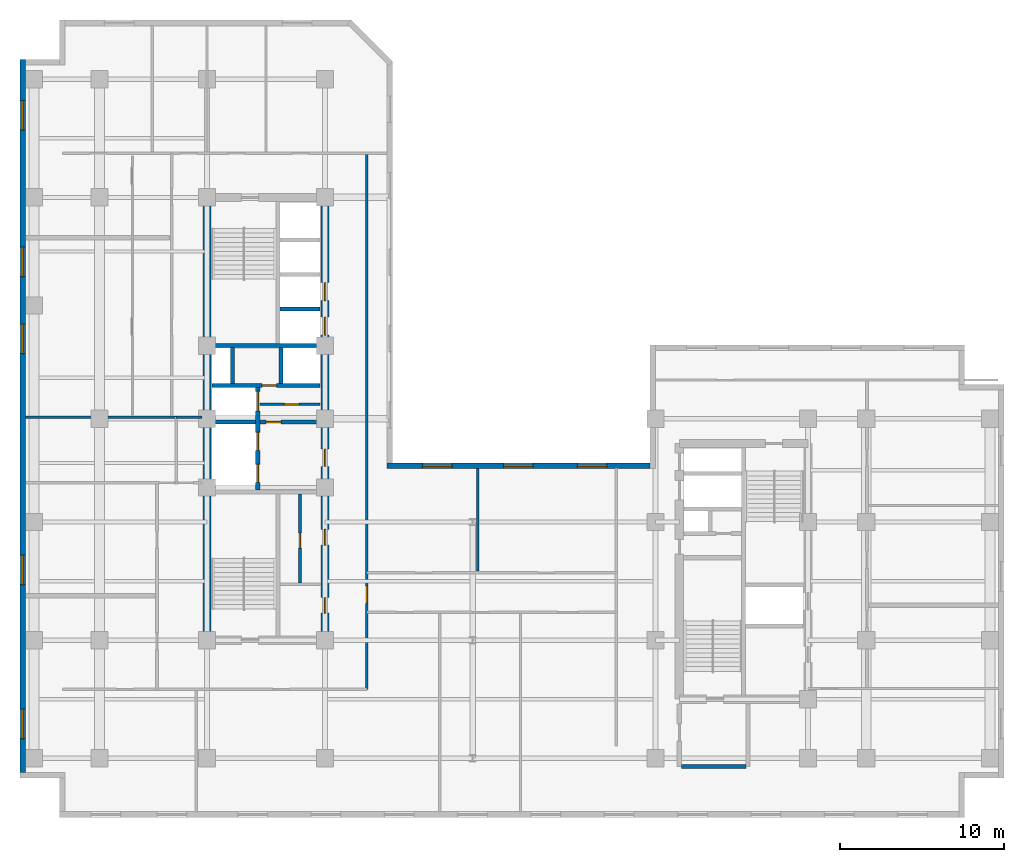
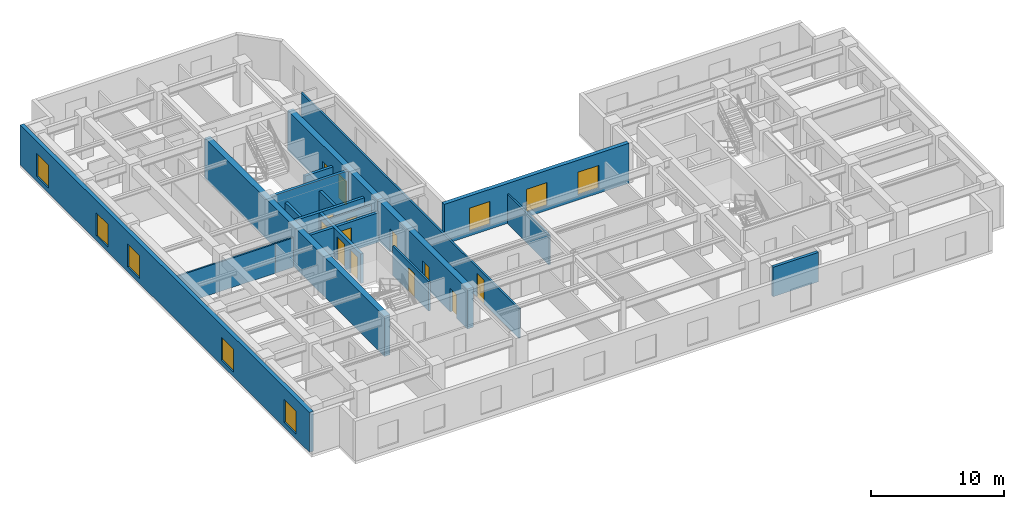
# One storey, part 4 of 10: 19 walls, 13 doors, 8 windows, 21 openings.
"""IFC4 building model written with IfcOpenShell, lengths in metres."""

from ifc_helpers import new_model, entity, si_unit, converted_unit, direction, frame, origin_with_axes, origin_2d_with_axis, place, context, subcontext, project, spatial, polyline, rectangle, outline, extrude, material, layer, layer_set, type_object, element, fill, save


model = new_model("IFC4")

# Units and contexts
model_context = context("Model", 3, precision=1e-05, world=origin_with_axes(), true_north=direction((0.0, 1.0)))
body_context = subcontext(model_context, "Body", "Model", "MODEL_VIEW")
ifc_project = project(units=[si_unit("LENGTHUNIT", "METRE"), si_unit("AREAUNIT", "SQUARE_METRE"), si_unit("VOLUMEUNIT", "CUBIC_METRE"), converted_unit("PLANEANGLEUNIT", "DEGREE", entity("IfcPlaneAngleMeasure", 0.017453292519943295), si_unit("PLANEANGLEUNIT", "RADIAN"), dimensions=[0, 0, 0, 0, 0, 0, 0]), si_unit("MASSUNIT", "GRAM", prefix="KILO"), si_unit("THERMODYNAMICTEMPERATUREUNIT", "KELVIN")], contexts=[model_context])

# Site, building, storey
site_placement = place(None, origin_with_axes())
site = spatial("IfcSite", under=ifc_project, at=site_placement, CompositionType="ELEMENT")
building_placement = place(site_placement, origin_with_axes())
building = spatial("IfcBuilding", under=site, at=building_placement, Name="Varnlund Millrace Tower", CompositionType="ELEMENT")
storey_placement = place(building_placement, frame((0.0, 0.0, 152.4), z_axis=(0.0, 0.0, 1.0), x_axis=(1.0, 0.0, 0.0)))
storey = spatial("IfcBuildingStorey", under=building, at=storey_placement, Name="L37", CompositionType="ELEMENT", Elevation=152.4)

# Wall
ifc_material_1 = material(Name="Concrete C70/85", Category="concrete")
ifc_layer_1 = layer(ifc_material_1, 0.5, Name="Concrete C70/85")
ifc_layer_set_1 = layer_set([ifc_layer_1], Name="Concrete C70/85")
wall_type_1 = type_object("IfcWallType", Name="Type-CoreWall-Shear-500-C70", PredefinedType="SHEAR", material=ifc_layer_set_1)
wall_1_placement = place(storey_placement, frame((11.4, 10.8, 0.0), z_axis=(0.0, 0.0, 1.0), x_axis=(0.0, 1.0, 0.0)))
element("IfcWall", 1, at=wall_1_placement, inside=storey, type_object=wall_type_1, Name="Type-CoreWall-Shear-500-C70", PredefinedType="SHEAR", context=body_context, shape_type="SweptSolid", body=[
    extrude(outline(polyline([(0.0, -0.25), (27.0, -0.25), (27.0, 0.25), (0.0, 0.25), (0.0, -0.25)])), origin_with_axes(), (0.0, 0.0, 1.0), 3.66),
])

# Wall, openings, doors
wall_2_placement = place(storey_placement, frame((18.6, 10.8, 0.0), z_axis=(0.0, 0.0, 1.0), x_axis=(0.0, 1.0, 0.0)))
wall_2 = element("IfcWall", 2, at=wall_2_placement, inside=storey, type_object=wall_type_1, Name="Type-CoreWall-Shear-500-C70", PredefinedType="SHEAR", context=body_context, shape_type="SweptSolid", body=[
    extrude(outline(polyline([(0.0, -0.25), (13.5, -0.25), (13.5, 0.25), (0.0, 0.25), (0.0, -0.25)])), origin_with_axes(), (0.0, 0.0, 1.0), 3.66),
])
opening_1_placement = place(wall_2_placement, frame((11.125, 0.0, 0.0), z_axis=(0.0, 0.0, 1.0), x_axis=(1.0, 0.0, 0.0)))
opening_1 = element("IfcOpeningElement", 3, at=opening_1_placement, cuts=wall_2, Name="Opening L37:DR-FFLOB-A", PredefinedType="OPENING", context=body_context, shape_type="SweptSolid", body=[
    extrude(rectangle(XDim=1.05, YDim=0.52, at=origin_2d_with_axis()), origin_with_axes(), (0.0, 0.0, 1.0), 2.15),
])
opening_2_placement = place(wall_2_placement, frame((2.125, 0.0, 0.0), z_axis=(0.0, 0.0, 1.0), x_axis=(1.0, 0.0, 0.0)))
opening_2 = element("IfcOpeningElement", 4, at=opening_2_placement, cuts=wall_2, Name="Opening L37:DR-RECL-A1-1", PredefinedType="OPENING", context=body_context, shape_type="SweptSolid", body=[
    extrude(rectangle(XDim=0.95, YDim=0.52, at=origin_2d_with_axis()), origin_with_axes(), (0.0, 0.0, 1.0), 2.15),
])
opening_3_placement = place(wall_2_placement, frame((6.275, 0.0, 0.0), z_axis=(0.0, 0.0, 1.0), x_axis=(1.0, 0.0, 0.0)))
opening_3 = element("IfcOpeningElement", 5, at=opening_3_placement, cuts=wall_2, Name="Opening L37:DR-RECL-A1-3", PredefinedType="OPENING", context=body_context, shape_type="SweptSolid", body=[
    extrude(rectangle(XDim=0.95, YDim=0.52, at=origin_2d_with_axis()), origin_with_axes(), (0.0, 0.0, 1.0), 2.15),
])
ifc_material_2 = material(Name="Smoke-barrier hollow steel fire door", Category="steel")
door_type_1 = type_object("IfcDoorType", Name="Type-FireDoor-Lobby-1050X2150", OperationType="NOTDEFINED", PredefinedType="DOOR", material=ifc_material_2)
door_1_placement = place(wall_2_placement, frame((11.125, 0.0, 0.0), z_axis=(0.0, 0.0, 1.0), x_axis=(1.0, 0.0, 0.0)))
door_1 = element("IfcDoor", 6, at=door_1_placement, inside=storey, type_object=door_type_1, Name="Type-FireDoor-Lobby-1050X2150", OperationType="SINGLE_SWING_LEFT", OverallHeight=2.15, OverallWidth=1.05, PredefinedType="DOOR", context=body_context, shape_type="SweptSolid", body=[
    extrude(rectangle(XDim=1.05, YDim=0.09, at=origin_2d_with_axis()), origin_with_axes(), (0.0, 0.0, 1.0), 2.15),
])
fill(opening_1, door_1)
ifc_material_3 = material(Name="Fire-rated hollow steel core service door", Category="steel")
door_type_2 = type_object("IfcDoorType", Name="Type-FireDoor-Service-950X2150", OperationType="NOTDEFINED", PredefinedType="DOOR", material=ifc_material_3)
door_2_placement = place(wall_2_placement, frame((2.125, 0.0, 0.0), z_axis=(0.0, 0.0, 1.0), x_axis=(1.0, 0.0, 0.0)))
door_2 = element("IfcDoor", 7, at=door_2_placement, inside=storey, type_object=door_type_2, Name="Type-FireDoor-Service-950X2150", OperationType="SINGLE_SWING_LEFT", OverallHeight=2.15, OverallWidth=0.95, PredefinedType="DOOR", context=body_context, shape_type="SweptSolid", body=[
    extrude(rectangle(XDim=0.95, YDim=0.09, at=origin_2d_with_axis()), origin_with_axes(), (0.0, 0.0, 1.0), 2.15),
])
fill(opening_2, door_2)
door_3_placement = place(wall_2_placement, frame((6.275, 0.0, 0.0), z_axis=(0.0, 0.0, 1.0), x_axis=(1.0, 0.0, 0.0)))
door_3 = element("IfcDoor", 8, at=door_3_placement, inside=storey, type_object=door_type_2, Name="Type-FireDoor-Service-950X2150", OperationType="SINGLE_SWING_RIGHT", OverallHeight=2.15, OverallWidth=0.95, PredefinedType="DOOR", context=body_context, shape_type="SweptSolid", body=[
    extrude(rectangle(XDim=0.95, YDim=0.09, at=origin_2d_with_axis()), origin_with_axes(), (0.0, 0.0, 1.0), 2.15),
])
fill(opening_3, door_3)

wall_3_placement = place(storey_placement, frame((18.6, 24.3, 0.0), z_axis=(0.0, 0.0, 1.0), x_axis=(0.0, 1.0, 0.0)))
wall_3 = element("IfcWall", 9, at=wall_3_placement, inside=storey, type_object=wall_type_1, Name="Type-CoreWall-Shear-500-C70", PredefinedType="SHEAR", context=body_context, shape_type="SweptSolid", body=[
    extrude(outline(polyline([(0.0, -0.25), (13.5, -0.25), (13.5, 0.25), (0.0, 0.25), (0.0, -0.25)])), origin_with_axes(), (0.0, 0.0, 1.0), 3.66),
])
opening_4_placement = place(wall_3_placement, frame((5.65, 0.0, 0.0), z_axis=(0.0, 0.0, 1.0), x_axis=(1.0, 0.0, 0.0)))
opening_4 = element("IfcOpeningElement", 10, at=opening_4_placement, cuts=wall_3, Name="Opening L37:LD-ELV-M1", PredefinedType="OPENING", context=body_context, shape_type="SweptSolid", body=[
    extrude(rectangle(XDim=1.1, YDim=0.52, at=origin_2d_with_axis()), origin_with_axes(), (0.0, 0.0, 1.0), 2.15),
])
opening_5_placement = place(wall_3_placement, frame((7.75, 0.0, 0.0), z_axis=(0.0, 0.0, 1.0), x_axis=(1.0, 0.0, 0.0)))
opening_5 = element("IfcOpeningElement", 11, at=opening_5_placement, cuts=wall_3, Name="Opening L37:LD-ELV-M2", PredefinedType="OPENING", context=body_context, shape_type="SweptSolid", body=[
    extrude(rectangle(XDim=1.1, YDim=0.52, at=origin_2d_with_axis()), origin_with_axes(), (0.0, 0.0, 1.0), 2.15),
])
ifc_material_4 = material(Name="Stainless and architectural bronze sliding landing door")
door_type_3 = type_object("IfcDoorType", Name="Type-LiftLandingDoor-1100X2150", OperationType="NOTDEFINED", PredefinedType="DOOR", material=ifc_material_4)
door_4_placement = place(wall_3_placement, frame((5.65, 0.0, 0.0), z_axis=(0.0, 0.0, 1.0), x_axis=(1.0, 0.0, 0.0)))
door_4 = element("IfcDoor", 12, at=door_4_placement, inside=storey, type_object=door_type_3, Name="Type-LiftLandingDoor-1100X2150", OperationType="SLIDING_TO_LEFT", OverallHeight=2.15, OverallWidth=1.1, PredefinedType="DOOR", context=body_context, shape_type="SweptSolid", body=[
    extrude(rectangle(XDim=1.1, YDim=0.09, at=origin_2d_with_axis()), origin_with_axes(), (0.0, 0.0, 1.0), 2.15),
])
fill(opening_4, door_4)
door_5_placement = place(wall_3_placement, frame((7.75, 0.0, 0.0), z_axis=(0.0, 0.0, 1.0), x_axis=(1.0, 0.0, 0.0)))
door_5 = element("IfcDoor", 13, at=door_5_placement, inside=storey, type_object=door_type_3, Name="Type-LiftLandingDoor-1100X2150", OperationType="SLIDING_TO_RIGHT", OverallHeight=2.15, OverallWidth=1.1, PredefinedType="DOOR", context=body_context, shape_type="SweptSolid", body=[
    extrude(rectangle(XDim=1.1, YDim=0.09, at=origin_2d_with_axis()), origin_with_axes(), (0.0, 0.0, 1.0), 2.15),
])
fill(opening_5, door_5)

# Wall, openings, windows
ifc_material_5 = material(Name="Precast concrete C50/60", Category="concrete")
ifc_layer_2 = layer(ifc_material_5, 0.34, Name="Precast concrete C50/60")
ifc_layer_set_2 = layer_set([ifc_layer_2], Name="Precast concrete C50/60")
wall_type_2 = type_object("IfcWallType", Name="Type-ExtWall-Precast-Upper-340", PredefinedType="SOLIDWALL", material=ifc_layer_set_2)
wall_4_placement = place(storey_placement, frame((0.17, 2.74, 0.0), z_axis=(0.0, 0.0, 1.0), x_axis=(0.0, 1.0, 0.0)))
wall_4 = element("IfcWall", 14, at=wall_4_placement, inside=storey, type_object=wall_type_2, Name="Type-ExtWall-Precast-Upper-340", PredefinedType="SOLIDWALL", context=body_context, shape_type="SweptSolid", body=[
    extrude(outline(polyline([(0.0, -0.17), (43.46, -0.17), (43.46, 0.17), (0.0, 0.17), (0.0, -0.17)])), origin_with_axes(), (0.0, 0.0, 1.0), 3.66),
])
opening_6_placement = place(wall_4_placement, frame((2.948, 0.0, 0.45), z_axis=(0.0, 0.0, 1.0), x_axis=(1.0, 0.0, 0.0)))
opening_6 = element("IfcOpeningElement", 15, at=opening_6_placement, cuts=wall_4, Name="Opening L37:WN-20", PredefinedType="OPENING", context=body_context, shape_type="SweptSolid", body=[
    extrude(rectangle(XDim=1.8, YDim=0.36, at=origin_2d_with_axis()), origin_with_axes(), (0.0, 0.0, 1.0), 2.1),
])
opening_7_placement = place(wall_4_placement, frame((12.339, 0.0, 0.45), z_axis=(0.0, 0.0, 1.0), x_axis=(1.0, 0.0, 0.0)))
opening_7 = element("IfcOpeningElement", 16, at=opening_7_placement, cuts=wall_4, Name="Opening L37:WN-21", PredefinedType="OPENING", context=body_context, shape_type="SweptSolid", body=[
    extrude(rectangle(XDim=1.8, YDim=0.36, at=origin_2d_with_axis()), origin_with_axes(), (0.0, 0.0, 1.0), 2.1),
])
opening_8_placement = place(wall_4_placement, frame((26.426, 0.0, 0.45), z_axis=(0.0, 0.0, 1.0), x_axis=(1.0, 0.0, 0.0)))
opening_8 = element("IfcOpeningElement", 17, at=opening_8_placement, cuts=wall_4, Name="Opening L37:WN-22", PredefinedType="OPENING", context=body_context, shape_type="SweptSolid", body=[
    extrude(rectangle(XDim=1.8, YDim=0.36, at=origin_2d_with_axis()), origin_with_axes(), (0.0, 0.0, 1.0), 2.1),
])
opening_9_placement = place(wall_4_placement, frame((31.121, 0.0, 0.45), z_axis=(0.0, 0.0, 1.0), x_axis=(1.0, 0.0, 0.0)))
opening_9 = element("IfcOpeningElement", 18, at=opening_9_placement, cuts=wall_4, Name="Opening L37:WN-23", PredefinedType="OPENING", context=body_context, shape_type="SweptSolid", body=[
    extrude(rectangle(XDim=1.8, YDim=0.36, at=origin_2d_with_axis()), origin_with_axes(), (0.0, 0.0, 1.0), 2.1),
])
opening_10_placement = place(wall_4_placement, frame((40.062, 0.0, 0.45), z_axis=(0.0, 0.0, 1.0), x_axis=(1.0, 0.0, 0.0)))
opening_10 = element("IfcOpeningElement", 19, at=opening_10_placement, cuts=wall_4, Name="Opening L37:WN-24", PredefinedType="OPENING", context=body_context, shape_type="SweptSolid", body=[
    extrude(rectangle(XDim=1.8, YDim=0.36, at=origin_2d_with_axis()), origin_with_axes(), (0.0, 0.0, 1.0), 2.1),
])
ifc_material_6 = material(Name="Argon low-e triple glazing in thermally broken bronze frame", Category="glass")
window_type = type_object("IfcWindowType", Name="Type-Window-Punched-1800X2100", PartitioningType="SINGLE_PANEL", PredefinedType="WINDOW", material=ifc_material_6)
window_1_placement = place(wall_4_placement, frame((2.948, 0.0, 0.45), z_axis=(0.0, 0.0, 1.0), x_axis=(1.0, 0.0, 0.0)))
window_1 = element("IfcWindow", 20, at=window_1_placement, inside=storey, type_object=window_type, Name="Type-Window-Punched-1800X2100", OverallHeight=2.1, OverallWidth=1.8, PredefinedType="WINDOW", context=body_context, shape_type="SweptSolid", body=[
    extrude(rectangle(XDim=1.8, YDim=0.09, at=origin_2d_with_axis()), origin_with_axes(), (0.0, 0.0, 1.0), 2.1),
])
fill(opening_6, window_1)
window_2_placement = place(wall_4_placement, frame((12.339, 0.0, 0.45), z_axis=(0.0, 0.0, 1.0), x_axis=(1.0, 0.0, 0.0)))
window_2 = element("IfcWindow", 21, at=window_2_placement, inside=storey, type_object=window_type, Name="Type-Window-Punched-1800X2100", OverallHeight=2.1, OverallWidth=1.8, PredefinedType="WINDOW", context=body_context, shape_type="SweptSolid", body=[
    extrude(rectangle(XDim=1.8, YDim=0.09, at=origin_2d_with_axis()), origin_with_axes(), (0.0, 0.0, 1.0), 2.1),
])
fill(opening_7, window_2)
window_3_placement = place(wall_4_placement, frame((26.426, 0.0, 0.45), z_axis=(0.0, 0.0, 1.0), x_axis=(1.0, 0.0, 0.0)))
window_3 = element("IfcWindow", 22, at=window_3_placement, inside=storey, type_object=window_type, Name="Type-Window-Punched-1800X2100", OverallHeight=2.1, OverallWidth=1.8, PredefinedType="WINDOW", context=body_context, shape_type="SweptSolid", body=[
    extrude(rectangle(XDim=1.8, YDim=0.09, at=origin_2d_with_axis()), origin_with_axes(), (0.0, 0.0, 1.0), 2.1),
])
fill(opening_8, window_3)
window_4_placement = place(wall_4_placement, frame((31.121, 0.0, 0.45), z_axis=(0.0, 0.0, 1.0), x_axis=(1.0, 0.0, 0.0)))
window_4 = element("IfcWindow", 23, at=window_4_placement, inside=storey, type_object=window_type, Name="Type-Window-Punched-1800X2100", OverallHeight=2.1, OverallWidth=1.8, PredefinedType="WINDOW", context=body_context, shape_type="SweptSolid", body=[
    extrude(rectangle(XDim=1.8, YDim=0.09, at=origin_2d_with_axis()), origin_with_axes(), (0.0, 0.0, 1.0), 2.1),
])
fill(opening_9, window_4)
window_5_placement = place(wall_4_placement, frame((40.062, 0.0, 0.45), z_axis=(0.0, 0.0, 1.0), x_axis=(1.0, 0.0, 0.0)))
window_5 = element("IfcWindow", 24, at=window_5_placement, inside=storey, type_object=window_type, Name="Type-Window-Punched-1800X2100", OverallHeight=2.1, OverallWidth=1.8, PredefinedType="WINDOW", context=body_context, shape_type="SweptSolid", body=[
    extrude(rectangle(XDim=1.8, YDim=0.09, at=origin_2d_with_axis()), origin_with_axes(), (0.0, 0.0, 1.0), 2.1),
])
fill(opening_10, window_5)

wall_5_placement = place(storey_placement, frame((22.387, 21.43, 0.0), z_axis=(0.0, 0.0, 1.0), x_axis=(1.0, 0.0, 0.0)))
wall_5 = element("IfcWall", 25, at=wall_5_placement, inside=storey, type_object=wall_type_2, Name="Type-ExtWall-Precast-Upper-340", PredefinedType="SOLIDWALL", context=body_context, shape_type="SweptSolid", body=[
    extrude(outline(polyline([(0.0, -0.17), (16.013, -0.17), (16.013, 0.17), (0.0, 0.17), (0.0, -0.17)])), origin_with_axes(), (0.0, 0.0, 1.0), 3.66),
])
opening_11_placement = place(wall_5_placement, frame((3.069, 0.0, 0.45), z_axis=(0.0, 0.0, 1.0), x_axis=(1.0, 0.0, 0.0)))
opening_11 = element("IfcOpeningElement", 26, at=opening_11_placement, cuts=wall_5, Name="Opening L37:WN-32", PredefinedType="OPENING", context=body_context, shape_type="SweptSolid", body=[
    extrude(rectangle(XDim=1.8, YDim=0.36, at=origin_2d_with_axis()), origin_with_axes(), (0.0, 0.0, 1.0), 2.1),
])
opening_12_placement = place(wall_5_placement, frame((8.006, 0.0, 0.45), z_axis=(0.0, 0.0, 1.0), x_axis=(1.0, 0.0, 0.0)))
opening_12 = element("IfcOpeningElement", 27, at=opening_12_placement, cuts=wall_5, Name="Opening L37:WN-33", PredefinedType="OPENING", context=body_context, shape_type="SweptSolid", body=[
    extrude(rectangle(XDim=1.8, YDim=0.36, at=origin_2d_with_axis()), origin_with_axes(), (0.0, 0.0, 1.0), 2.1),
])
opening_13_placement = place(wall_5_placement, frame((12.494, 0.0, 0.45), z_axis=(0.0, 0.0, 1.0), x_axis=(1.0, 0.0, 0.0)))
opening_13 = element("IfcOpeningElement", 28, at=opening_13_placement, cuts=wall_5, Name="Opening L37:WN-34", PredefinedType="OPENING", context=body_context, shape_type="SweptSolid", body=[
    extrude(rectangle(XDim=1.8, YDim=0.36, at=origin_2d_with_axis()), origin_with_axes(), (0.0, 0.0, 1.0), 2.1),
])
window_6_placement = place(wall_5_placement, frame((3.069, 0.0, 0.45), z_axis=(0.0, 0.0, 1.0), x_axis=(1.0, 0.0, 0.0)))
window_6 = element("IfcWindow", 29, at=window_6_placement, inside=storey, type_object=window_type, Name="Type-Window-Punched-1800X2100", OverallHeight=2.1, OverallWidth=1.8, PredefinedType="WINDOW", context=body_context, shape_type="SweptSolid", body=[
    extrude(rectangle(XDim=1.8, YDim=0.09, at=origin_2d_with_axis()), origin_with_axes(), (0.0, 0.0, 1.0), 2.1),
])
fill(opening_11, window_6)
window_7_placement = place(wall_5_placement, frame((8.006, 0.0, 0.45), z_axis=(0.0, 0.0, 1.0), x_axis=(1.0, 0.0, 0.0)))
window_7 = element("IfcWindow", 30, at=window_7_placement, inside=storey, type_object=window_type, Name="Type-Window-Punched-1800X2100", OverallHeight=2.1, OverallWidth=1.8, PredefinedType="WINDOW", context=body_context, shape_type="SweptSolid", body=[
    extrude(rectangle(XDim=1.8, YDim=0.09, at=origin_2d_with_axis()), origin_with_axes(), (0.0, 0.0, 1.0), 2.1),
])
fill(opening_12, window_7)
window_8_placement = place(wall_5_placement, frame((12.494, 0.0, 0.45), z_axis=(0.0, 0.0, 1.0), x_axis=(1.0, 0.0, 0.0)))
window_8 = element("IfcWindow", 31, at=window_8_placement, inside=storey, type_object=window_type, Name="Type-Window-Punched-1800X2100", OverallHeight=2.1, OverallWidth=1.8, PredefinedType="WINDOW", context=body_context, shape_type="SweptSolid", body=[
    extrude(rectangle(XDim=1.8, YDim=0.09, at=origin_2d_with_axis()), origin_with_axes(), (0.0, 0.0, 1.0), 2.1),
])
fill(opening_13, window_8)

# Wall, opening, door
ifc_material_7 = material(Name="Fire-rated gypsum board on cold-formed steel framing", Category="steel")
ifc_layer_3 = layer(ifc_material_7, 0.16, Name="Fire-rated gypsum board on cold-formed steel framing")
ifc_layer_set_3 = layer_set([ifc_layer_3], Name="Fire-rated gypsum board on cold-formed steel framing")
wall_type_3 = type_object("IfcWallType", Name="Type-Partition-Corridor-160", PredefinedType="PARTITIONING", material=ifc_layer_set_3)
wall_6_placement = place(storey_placement, frame((14.62, 25.18, 0.0), z_axis=(0.0, 0.0, 1.0), x_axis=(1.0, 0.0, 0.0)))
wall_6 = element("IfcWall", 32, at=wall_6_placement, inside=storey, type_object=wall_type_3, Name="Type-Partition-Corridor-160", PredefinedType="PARTITIONING", context=body_context, shape_type="SweptSolid", body=[
    extrude(outline(polyline([(0.0, -0.08), (3.68, -0.08), (3.68, 0.08), (0.0, 0.08), (0.0, -0.08)])), origin_with_axes(), (0.0, 0.0, 1.0), 2.7),
])
opening_14_placement = place(wall_6_placement, frame((1.95, 0.0, 0.0), z_axis=(0.0, 0.0, 1.0), x_axis=(1.0, 0.0, 0.0)))
opening_14 = element("IfcOpeningElement", 33, at=opening_14_placement, cuts=wall_6, Name="Opening L37:DR-CA-SUB2", PredefinedType="OPENING", context=body_context, shape_type="SweptSolid", body=[
    extrude(rectangle(XDim=0.9, YDim=0.18, at=origin_2d_with_axis()), origin_with_axes(), (0.0, 0.0, 1.0), 2.15),
])
ifc_material_8 = material(Name="Painted steel riser and closet door", Category="steel")
door_type_4 = type_object("IfcDoorType", Name="Type-IntDoor-Closet-900X2150", OperationType="NOTDEFINED", PredefinedType="DOOR", material=ifc_material_8)
door_6_placement = place(wall_6_placement, frame((1.95, 0.0, 0.0), z_axis=(0.0, 0.0, 1.0), x_axis=(1.0, 0.0, 0.0)))
door_6 = element("IfcDoor", 34, at=door_6_placement, inside=storey, type_object=door_type_4, Name="Type-IntDoor-Closet-900X2150", OperationType="SINGLE_SWING_LEFT", OverallHeight=2.15, OverallWidth=0.9, PredefinedType="DOOR", context=body_context, shape_type="SweptSolid", body=[
    extrude(rectangle(XDim=0.9, YDim=0.09, at=origin_2d_with_axis()), origin_with_axes(), (0.0, 0.0, 1.0), 2.15),
])
fill(opening_14, door_6)

wall_7_placement = place(storey_placement, frame((17.07, 14.28, 0.0), z_axis=(0.0, 0.0, 1.0), x_axis=(0.0, 1.0, 0.0)))
wall_7 = element("IfcWall", 35, at=wall_7_placement, inside=storey, type_object=wall_type_3, Name="Type-Partition-Corridor-160", PredefinedType="PARTITIONING", context=body_context, shape_type="SweptSolid", body=[
    extrude(outline(polyline([(0.0, -0.08), (5.42, -0.08), (5.42, 0.08), (0.0, 0.08), (0.0, -0.08)])), origin_with_axes(), (0.0, 0.0, 1.0), 2.7),
])
opening_15_placement = place(wall_7_placement, frame((2.6, 0.0, 0.0), z_axis=(0.0, 0.0, 1.0), x_axis=(1.0, 0.0, 0.0)))
opening_15 = element("IfcOpeningElement", 36, at=opening_15_placement, cuts=wall_7, Name="Opening L37:DR-RECL-A1-2", PredefinedType="OPENING", context=body_context, shape_type="SweptSolid", body=[
    extrude(rectangle(XDim=0.9, YDim=0.18, at=origin_2d_with_axis()), origin_with_axes(), (0.0, 0.0, 1.0), 2.15),
])
door_7_placement = place(wall_7_placement, frame((2.6, 0.0, 0.0), z_axis=(0.0, 0.0, 1.0), x_axis=(1.0, 0.0, 0.0)))
door_7 = element("IfcDoor", 37, at=door_7_placement, inside=storey, type_object=door_type_4, Name="Type-IntDoor-Closet-900X2150", OperationType="SINGLE_SWING_LEFT", OverallHeight=2.15, OverallWidth=0.9, PredefinedType="DOOR", context=body_context, shape_type="SweptSolid", body=[
    extrude(rectangle(XDim=0.9, YDim=0.09, at=origin_2d_with_axis()), origin_with_axes(), (0.0, 0.0, 1.0), 2.15),
])
fill(opening_15, door_7)

wall_8_placement = place(storey_placement, frame((21.15, 7.8, 0.0), z_axis=(0.0, 0.0, 1.0), x_axis=(0.0, 1.0, 0.0)))
wall_8 = element("IfcWall", 38, at=wall_8_placement, inside=storey, type_object=wall_type_3, Name="Type-Partition-Corridor-160", PredefinedType="PARTITIONING", context=body_context, shape_type="SweptSolid", body=[
    extrude(outline(polyline([(0.0, -0.08), (32.7, -0.08), (32.7, 0.08), (0.0, 0.08), (0.0, -0.08)])), origin_with_axes(), (0.0, 0.0, 1.0), 2.7),
])
opening_16_placement = place(wall_8_placement, frame((5.775, 0.0, 0.0), z_axis=(0.0, 0.0, 1.0), x_axis=(1.0, 0.0, 0.0)))
opening_16 = element("IfcOpeningElement", 39, at=opening_16_placement, cuts=wall_8, Name="Opening L37:DR-KN-W", PredefinedType="OPENING", context=body_context, shape_type="SweptSolid", body=[
    extrude(rectangle(XDim=1.05, YDim=0.18, at=origin_2d_with_axis()), origin_with_axes(), (0.0, 0.0, 1.0), 2.15),
])
door_8_placement = place(wall_8_placement, frame((5.775, 0.0, 0.0), z_axis=(0.0, 0.0, 1.0), x_axis=(1.0, 0.0, 0.0)))
door_8 = element("IfcDoor", 40, at=door_8_placement, inside=storey, type_object=door_type_1, Name="Type-FireDoor-Lobby-1050X2150", OperationType="SINGLE_SWING_LEFT", OverallHeight=2.15, OverallWidth=1.05, PredefinedType="DOOR", context=body_context, shape_type="SweptSolid", body=[
    extrude(rectangle(XDim=1.05, YDim=0.09, at=origin_2d_with_axis()), origin_with_axes(), (0.0, 0.0, 1.0), 2.15),
])
fill(opening_16, door_8)

# Walls
ifc_material_9 = material(Name="Acoustic STC-50 gypsum board partition", Category="gypsum")
ifc_layer_4 = layer(ifc_material_9, 0.15, Name="Acoustic STC-50 gypsum board partition")
ifc_layer_set_4 = layer_set([ifc_layer_4], Name="Acoustic STC-50 gypsum board partition")
wall_type_4 = type_object("IfcWallType", Name="Type-Partition-Demising-150", PredefinedType="PARTITIONING", material=ifc_layer_set_4)
wall_9_placement = place(storey_placement, frame((27.909, 15.02, 0.0), z_axis=(0.0, 0.0, 1.0), x_axis=(0.0, 1.0, 0.0)))
element("IfcWall", 41, at=wall_9_placement, inside=storey, type_object=wall_type_4, Name="Type-Partition-Demising-150", PredefinedType="PARTITIONING", context=body_context, shape_type="SweptSolid", body=[
    extrude(outline(polyline([(0.0, -0.075), (6.245, -0.075), (6.245, 0.075), (0.0, 0.075), (0.0, -0.075)])), origin_with_axes(), (0.0, 0.0, 1.0), 2.7),
])
ifc_material_10 = material(Name="Moisture-resistant gypsum restroom partition", Category="gypsum")
ifc_layer_5 = layer(ifc_material_10, 0.14, Name="Moisture-resistant gypsum restroom partition")
ifc_layer_set_5 = layer_set([ifc_layer_5], Name="Moisture-resistant gypsum restroom partition")
wall_type_5 = type_object("IfcWallType", Name="Type-Partition-Wet-140", PredefinedType="PARTITIONING", material=ifc_layer_set_5)
wall_10_placement = place(storey_placement, frame((9.52, 24.4, 0.0), z_axis=(0.0, 0.0, 1.0), x_axis=(1.0, 0.0, 0.0)))
element("IfcWall", 42, at=wall_10_placement, inside=storey, type_object=wall_type_5, Name="Type-Partition-Wet-140", PredefinedType="PARTITIONING", context=body_context, shape_type="SweptSolid", body=[
    extrude(outline(polyline([(0.0, -0.07), (1.58, -0.07), (1.58, 0.07), (0.0, 0.07), (0.0, -0.07)])), origin_with_axes(), (0.0, 0.0, 1.0), 2.7),
])
wall_11_placement = place(storey_placement, frame((0.335, 24.4, 0.0), z_axis=(0.0, 0.0, 1.0), x_axis=(1.0, 0.0, 0.0)))
element("IfcWall", 43, at=wall_11_placement, inside=storey, type_object=wall_type_5, Name="Type-Partition-Wet-140", PredefinedType="PARTITIONING", context=body_context, shape_type="SweptSolid", body=[
    extrude(outline(polyline([(0.0, -0.07), (9.185, -0.07), (9.185, 0.07), (0.0, 0.07), (0.0, -0.07)])), origin_with_axes(), (0.0, 0.0, 1.0), 2.7),
])

# Wall, openings, doors
ifc_material_11 = material(Name="Concrete C60/75", Category="concrete")
ifc_layer_6 = layer(ifc_material_11, 0.25, Name="Concrete C60/75")
ifc_layer_set_6 = layer_set([ifc_layer_6], Name="Concrete C60/75")
wall_type_6 = type_object("IfcWallType", Name="Type-ShaftWall-Fire-250", PredefinedType="SOLIDWALL", material=ifc_layer_set_6)
wall_12_placement = place(storey_placement, frame((14.5, 19.95, 0.0), z_axis=(0.0, 0.0, 1.0), x_axis=(0.0, 1.0, 0.0)))
wall_12 = element("IfcWall", 44, at=wall_12_placement, inside=storey, type_object=wall_type_6, Name="Type-ShaftWall-Fire-250", PredefinedType="SOLIDWALL", context=body_context, shape_type="SweptSolid", body=[
    extrude(outline(polyline([(0.0, -0.125), (6.25, -0.125), (6.25, 0.125), (0.0, 0.125), (0.0, -0.125)])), origin_with_axes(), (0.0, 0.0, 1.0), 2.7),
])
opening_17_placement = place(wall_12_placement, frame((1.025, 0.0, 0.0), z_axis=(0.0, 0.0, 1.0), x_axis=(1.0, 0.0, 0.0)))
opening_17 = element("IfcOpeningElement", 45, at=opening_17_placement, cuts=wall_12, Name="Opening L37:LD-FSAE1", PredefinedType="OPENING", context=body_context, shape_type="SweptSolid", body=[
    extrude(rectangle(XDim=1.1, YDim=0.27, at=origin_2d_with_axis()), origin_with_axes(), (0.0, 0.0, 1.0), 2.15),
])
opening_18_placement = place(wall_12_placement, frame((2.975, 0.0, 0.0), z_axis=(0.0, 0.0, 1.0), x_axis=(1.0, 0.0, 0.0)))
opening_18 = element("IfcOpeningElement", 46, at=opening_18_placement, cuts=wall_12, Name="Opening L37:LD-FSAE2", PredefinedType="OPENING", context=body_context, shape_type="SweptSolid", body=[
    extrude(rectangle(XDim=1.1, YDim=0.27, at=origin_2d_with_axis()), origin_with_axes(), (0.0, 0.0, 1.0), 2.15),
])
opening_19_placement = place(wall_12_placement, frame((5.425, 0.0, 0.0), z_axis=(0.0, 0.0, 1.0), x_axis=(1.0, 0.0, 0.0)))
opening_19 = element("IfcOpeningElement", 47, at=opening_19_placement, cuts=wall_12, Name="Opening L37:LD-SRV1", PredefinedType="OPENING", context=body_context, shape_type="SweptSolid", body=[
    extrude(rectangle(XDim=1.2, YDim=0.27, at=origin_2d_with_axis()), origin_with_axes(), (0.0, 0.0, 1.0), 2.15),
])
door_9_placement = place(wall_12_placement, frame((1.025, 0.0, 0.0), z_axis=(0.0, 0.0, 1.0), x_axis=(1.0, 0.0, 0.0)))
door_9 = element("IfcDoor", 48, at=door_9_placement, inside=storey, type_object=door_type_3, Name="Type-LiftLandingDoor-1100X2150", OperationType="SLIDING_TO_LEFT", OverallHeight=2.15, OverallWidth=1.1, PredefinedType="DOOR", context=body_context, shape_type="SweptSolid", body=[
    extrude(rectangle(XDim=1.1, YDim=0.09, at=origin_2d_with_axis()), origin_with_axes(), (0.0, 0.0, 1.0), 2.15),
])
fill(opening_17, door_9)
door_10_placement = place(wall_12_placement, frame((2.975, 0.0, 0.0), z_axis=(0.0, 0.0, 1.0), x_axis=(1.0, 0.0, 0.0)))
door_10 = element("IfcDoor", 49, at=door_10_placement, inside=storey, type_object=door_type_3, Name="Type-LiftLandingDoor-1100X2150", OperationType="SLIDING_TO_RIGHT", OverallHeight=2.15, OverallWidth=1.1, PredefinedType="DOOR", context=body_context, shape_type="SweptSolid", body=[
    extrude(rectangle(XDim=1.1, YDim=0.09, at=origin_2d_with_axis()), origin_with_axes(), (0.0, 0.0, 1.0), 2.15),
])
fill(opening_18, door_10)
ifc_material_12 = material(Name="Heavy-duty freight sliding landing door")
door_type_5 = type_object("IfcDoorType", Name="Type-LiftLandingDoor-Service-1200X2150", OperationType="NOTDEFINED", PredefinedType="DOOR", material=ifc_material_12)
door_11_placement = place(wall_12_placement, frame((5.425, 0.0, 0.0), z_axis=(0.0, 0.0, 1.0), x_axis=(1.0, 0.0, 0.0)))
door_11 = element("IfcDoor", 50, at=door_11_placement, inside=storey, type_object=door_type_5, Name="Type-LiftLandingDoor-Service-1200X2150", OperationType="DOUBLE_DOOR_SLIDING", OverallHeight=2.15, OverallWidth=1.2, PredefinedType="DOOR", context=body_context, shape_type="SweptSolid", body=[
    extrude(rectangle(XDim=1.2, YDim=0.09, at=origin_2d_with_axis()), origin_with_axes(), (0.0, 0.0, 1.0), 2.15),
])
fill(opening_19, door_11)

# Wall, opening, door
wall_13_placement = place(storey_placement, frame((11.7, 24.1, 0.0), z_axis=(0.0, 0.0, 1.0), x_axis=(1.0, 0.0, 0.0)))
wall_13 = element("IfcWall", 51, at=wall_13_placement, inside=storey, type_object=wall_type_6, Name="Type-ShaftWall-Fire-250", PredefinedType="SOLIDWALL", context=body_context, shape_type="SweptSolid", body=[
    extrude(outline(polyline([(0.0, -0.125), (6.6, -0.125), (6.6, 0.125), (0.0, 0.125), (0.0, -0.125)])), origin_with_axes(), (0.0, 0.0, 1.0), 2.7),
])
opening_20_placement = place(wall_13_placement, frame((3.75, 0.0, 0.0), z_axis=(0.0, 0.0, 1.0), x_axis=(1.0, 0.0, 0.0)))
opening_20 = element("IfcOpeningElement", 52, at=opening_20_placement, cuts=wall_13, Name="Opening L37:DR-CA-SUB1", PredefinedType="OPENING", context=body_context, shape_type="SweptSolid", body=[
    extrude(rectangle(XDim=0.9, YDim=0.27, at=origin_2d_with_axis()), origin_with_axes(), (0.0, 0.0, 1.0), 2.15),
])
ifc_material_13 = material(Name="Fire-rated hollow steel service closet door", Category="steel")
door_type_6 = type_object("IfcDoorType", Name="Type-FireDoor-Closet-900X2150", OperationType="NOTDEFINED", PredefinedType="DOOR", material=ifc_material_13)
door_12_placement = place(wall_13_placement, frame((3.75, 0.0, 0.0), z_axis=(0.0, 0.0, 1.0), x_axis=(1.0, 0.0, 0.0)))
door_12 = element("IfcDoor", 53, at=door_12_placement, inside=storey, type_object=door_type_6, Name="Type-FireDoor-Closet-900X2150", OperationType="SINGLE_SWING_LEFT", OverallHeight=2.15, OverallWidth=0.9, PredefinedType="DOOR", context=body_context, shape_type="SweptSolid", body=[
    extrude(rectangle(XDim=0.9, YDim=0.09, at=origin_2d_with_axis()), origin_with_axes(), (0.0, 0.0, 1.0), 2.15),
])
fill(opening_20, door_12)

wall_14_placement = place(storey_placement, frame((11.7, 26.325, 0.0), z_axis=(0.0, 0.0, 1.0), x_axis=(1.0, 0.0, 0.0)))
wall_14 = element("IfcWall", 54, at=wall_14_placement, inside=storey, type_object=wall_type_6, Name="Type-ShaftWall-Fire-250", PredefinedType="SOLIDWALL", context=body_context, shape_type="SweptSolid", body=[
    extrude(outline(polyline([(0.0, -0.125), (6.6, -0.125), (6.6, 0.125), (0.0, 0.125), (0.0, -0.125)])), origin_with_axes(), (0.0, 0.0, 1.0), 2.7),
])
opening_21_placement = place(wall_14_placement, frame((3.5, 0.0, 0.0), z_axis=(0.0, 0.0, 1.0), x_axis=(1.0, 0.0, 0.0)))
opening_21 = element("IfcOpeningElement", 55, at=opening_21_placement, cuts=wall_14, Name="Opening L37:DR-CA-ELC", PredefinedType="OPENING", context=body_context, shape_type="SweptSolid", body=[
    extrude(rectangle(XDim=0.9, YDim=0.27, at=origin_2d_with_axis()), origin_with_axes(), (0.0, 0.0, 1.0), 2.15),
])
door_13_placement = place(wall_14_placement, frame((3.5, 0.0, 0.0), z_axis=(0.0, 0.0, 1.0), x_axis=(1.0, 0.0, 0.0)))
door_13 = element("IfcDoor", 56, at=door_13_placement, inside=storey, type_object=door_type_6, Name="Type-FireDoor-Closet-900X2150", OperationType="SINGLE_SWING_LEFT", OverallHeight=2.15, OverallWidth=0.9, PredefinedType="DOOR", context=body_context, shape_type="SweptSolid", body=[
    extrude(rectangle(XDim=0.9, YDim=0.09, at=origin_2d_with_axis()), origin_with_axes(), (0.0, 0.0, 1.0), 2.15),
])
fill(opening_21, door_13)

# Walls
for number, where, z_axis, x_axis, name in (
    (57, (12.96, 26.45, 0.0), (0.0, 0.0, 1.0), (0.0, 1.0, 0.0), "Type-ShaftWall-Fire-250"),
    (58, (15.925, 26.45, 0.0), (0.0, 0.0, 1.0), (0.0, 1.0, 0.0), "Type-ShaftWall-Fire-250"),
):
    element("IfcWall", number, at=place(storey_placement, frame(where, z_axis=z_axis, x_axis=x_axis)), inside=storey, type_object=wall_type_6, Name=name, PredefinedType="SOLIDWALL", context=body_context, shape_type="SweptSolid", body=[
        extrude(outline(polyline([(0.0, -0.125), (2.2, -0.125), (2.2, 0.125), (0.0, 0.125), (0.0, -0.125)])), origin_with_axes(), (0.0, 0.0, 1.0), 2.7),
    ])
wall_15_placement = place(storey_placement, frame((40.325, 3.1, 0.0), z_axis=(0.0, 0.0, 1.0), x_axis=(1.0, 0.0, 0.0)))
element("IfcWall", 59, at=wall_15_placement, inside=storey, type_object=wall_type_6, Name="Type-ShaftWall-Fire-250", PredefinedType="SOLIDWALL", context=body_context, shape_type="SweptSolid", body=[
    extrude(outline(polyline([(0.0, -0.125), (3.95, -0.125), (3.95, 0.125), (0.0, 0.125), (0.0, -0.125)])), origin_with_axes(), (0.0, 0.0, 1.0), 2.7),
])
wall_16_placement = place(storey_placement, frame((15.84, 31.0, 0.0), z_axis=(0.0, 0.0, 1.0), x_axis=(1.0, 0.0, 0.0)))
element("IfcWall", 60, at=wall_16_placement, inside=storey, type_object=wall_type_6, Name="Type-ShaftWall-Fire-250", PredefinedType="SOLIDWALL", context=body_context, shape_type="SweptSolid", body=[
    extrude(outline(polyline([(0.0, -0.125), (2.46, -0.125), (2.46, 0.125), (0.0, 0.125), (0.0, -0.125)])), origin_with_axes(), (0.0, 0.0, 1.0), 2.7),
])
wall_type_7 = type_object("IfcWallType", Name="Type-StairWall-Shear-250", PredefinedType="SHEAR", material=ifc_layer_set_6)
wall_17_placement = place(storey_placement, frame((11.65, 28.775, 0.0), z_axis=(0.0, 0.0, 1.0), x_axis=(1.0, 0.0, 0.0)))
element("IfcWall", 61, at=wall_17_placement, inside=storey, type_object=wall_type_7, Name="Type-StairWall-Shear-250", PredefinedType="SHEAR", context=body_context, shape_type="SweptSolid", body=[
    extrude(outline(polyline([(0.0, -0.125), (6.7, -0.125), (6.7, 0.125), (0.0, 0.125), (0.0, -0.125)])), origin_with_axes(), (0.0, 0.0, 1.0), 3.66),
])

save(model, "model.ifc")
